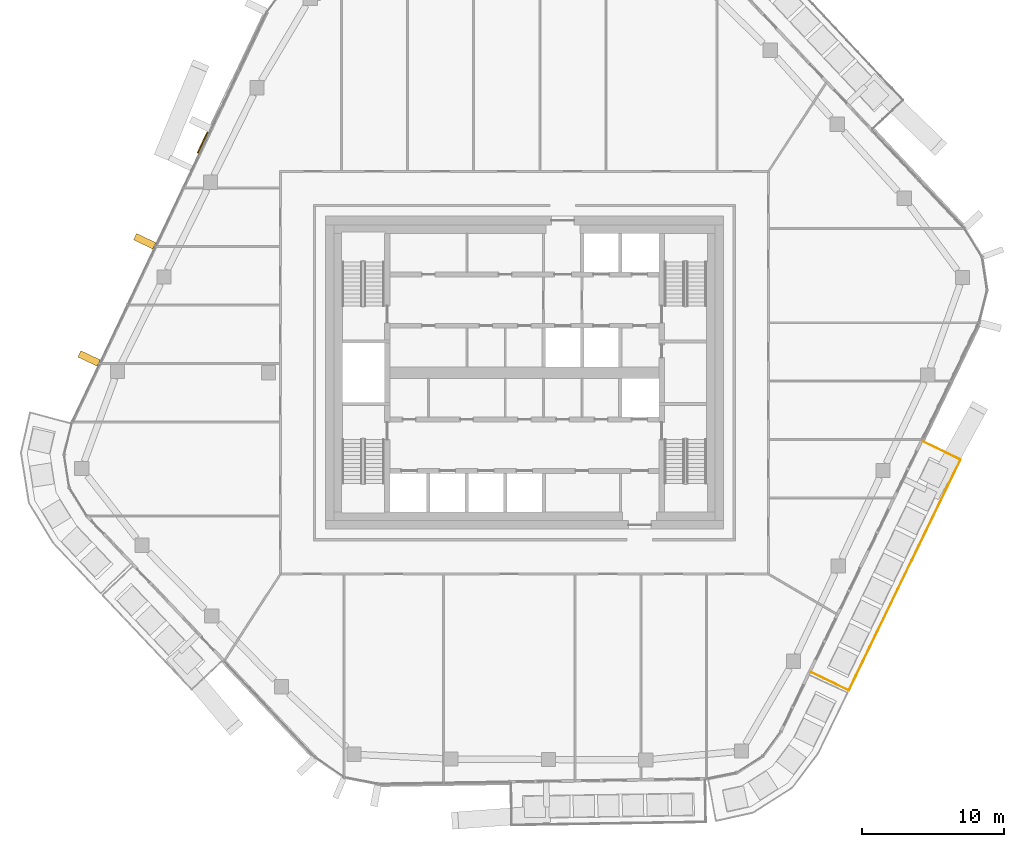
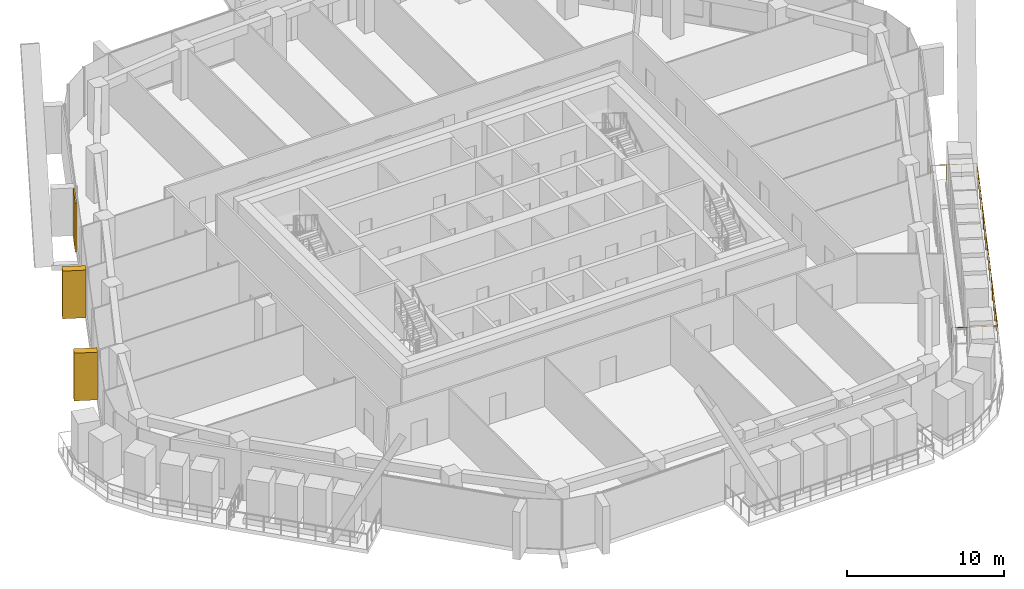
# One storey, part 21 of 24: 3 coverings, 1 railing, 1 element without a shape of its own.
"""IFC4 building model written with IfcOpenShell, lengths in metres."""

from ifc_helpers import new_model, si_unit, direction, frame, origin, origin_2d, place, context, subcontext, project, spatial, rectangle, circle, extrude, material, layer, layer_set, material_profile, profile_set, type_object, element, aggregate, save


model = new_model("IFC4")

# Units and contexts
model_context = context("Model", 3, precision=1e-05, world=origin(), true_north=direction((0.0, 1.0)))
body_context = subcontext(model_context, "Body", "Model", "MODEL_VIEW")
ifc_project = project(units=[si_unit("LENGTHUNIT", "METRE"), si_unit("AREAUNIT", "SQUARE_METRE"), si_unit("VOLUMEUNIT", "CUBIC_METRE"), si_unit("PLANEANGLEUNIT", "RADIAN"), si_unit("MASSUNIT", "GRAM", prefix="KILO")], contexts=[model_context])

# Site, building, storey
site_placement = place(None, origin())
site = spatial("IfcSite", under=ifc_project, at=site_placement, CompositionType="ELEMENT")
building_placement = place(site_placement, origin())
building = spatial("IfcBuilding", under=site, at=building_placement, Name="Dongbaek Canopy Tower", CompositionType="ELEMENT")
storey_placement = place(building_placement, frame((0.0, 0.0, 298.39990234375)))
storey = spatial("IfcBuildingStorey", under=building, at=storey_placement, Name="L63", CompositionType="ELEMENT", Elevation=298.39990234375)

# Railing
ifc_material_1 = material(Name="Stainless steel", Category="steel")
railing_type = type_object("IfcRailingType", Name="Balcony balustrade 1200", PredefinedType="BALUSTRADE", material=ifc_material_1)
railing_placement = place(storey_placement, frame((20.15478515625, -21.060546875, 0.0)))
element("IfcRailing", 1, at=railing_placement, inside=storey, type_object=railing_type, Name="Balcony guard L63 5", PredefinedType="BALUSTRADE", context=body_context, shape_type="SweptSolid", body=[
    extrude(circle(Radius=0.02392578125, at=origin_2d()), frame((0.0, 0.0, 1.17578125), z_axis=(0.900002702987, -0.43588431334, 0.0), x_axis=(0.43588431334, 0.900002702987, 0.0)), (0.0, 0.0, 1.0), 2.93994140625),
    extrude(circle(Radius=0.02392578125, at=origin_2d()), frame((2.64599609375, -1.281494140625, 1.17578125), z_axis=(0.435867784056, 0.900010708171, 0.0), x_axis=(-0.900010708171, 0.435867784056, 0.0)), (0.0, 0.0, 1.0), 18.02880859375),
    extrude(circle(Radius=0.02392578125, at=origin_2d()), frame((10.504150390625, 14.944580078125, 1.17578125), z_axis=(-0.900002702987, 0.43588431334, 0.0), x_axis=(-0.43588431334, -0.900002702987, 0.0)), (0.0, 0.0, 1.0), 2.93994140625),
    extrude(circle(Radius=0.02099609375, at=origin_2d()), origin(), (0.0, 0.0, 1.0), 1.15185546875),
    extrude(circle(Radius=0.02099609375, at=origin_2d()), frame((0.882080078125, -0.42724609375, 0.0)), (0.0, 0.0, 1.0), 1.15185546875),
    extrude(circle(Radius=0.02099609375, at=origin_2d()), frame((1.763916015625, -0.854248046875, 0.0)), (0.0, 0.0, 1.0), 1.15185546875),
    extrude(circle(Radius=0.02099609375, at=origin_2d()), frame((2.64599609375, -1.281494140625, 0.0)), (0.0, 0.0, 1.0), 1.15185546875),
    extrude(circle(Radius=0.02099609375, at=origin_2d()), frame((3.13720703125, -0.267333984375, 0.0)), (0.0, 0.0, 1.0), 1.15185546875),
    extrude(circle(Radius=0.02099609375, at=origin_2d()), frame((3.628173828125, 0.746826171875, 0.0)), (0.0, 0.0, 1.0), 1.15185546875),
    extrude(circle(Radius=0.02099609375, at=origin_2d()), frame((4.119384765625, 1.760986328125, 0.0)), (0.0, 0.0, 1.0), 1.15185546875),
    extrude(circle(Radius=0.02099609375, at=origin_2d()), frame((4.610595703125, 2.77490234375, 0.0)), (0.0, 0.0, 1.0), 1.15185546875),
    extrude(circle(Radius=0.02099609375, at=origin_2d()), frame((5.1015625, 3.7890625, 0.0)), (0.0, 0.0, 1.0), 1.15185546875),
    extrude(circle(Radius=0.02099609375, at=origin_2d()), frame((5.5927734375, 4.80322265625, 0.0)), (0.0, 0.0, 1.0), 1.15185546875),
    extrude(circle(Radius=0.02099609375, at=origin_2d()), frame((6.083984375, 5.8173828125, 0.0)), (0.0, 0.0, 1.0), 1.15185546875),
    extrude(circle(Radius=0.02099609375, at=origin_2d()), frame((6.5751953125, 6.83154296875, 0.0)), (0.0, 0.0, 1.0), 1.15185546875),
    extrude(circle(Radius=0.02099609375, at=origin_2d()), frame((7.066162109375, 7.845703125, 0.0)), (0.0, 0.0, 1.0), 1.15185546875),
    extrude(circle(Radius=0.02099609375, at=origin_2d()), frame((7.557373046875, 8.85986328125, 0.0)), (0.0, 0.0, 1.0), 1.15185546875),
    extrude(circle(Radius=0.02099609375, at=origin_2d()), frame((8.048583984375, 9.8740234375, 0.0)), (0.0, 0.0, 1.0), 1.15185546875),
    extrude(circle(Radius=0.02099609375, at=origin_2d()), frame((8.53955078125, 10.88818359375, 0.0)), (0.0, 0.0, 1.0), 1.15185546875),
    extrude(circle(Radius=0.02099609375, at=origin_2d()), frame((9.03076171875, 11.902099609375, 0.0)), (0.0, 0.0, 1.0), 1.15185546875),
    extrude(circle(Radius=0.02099609375, at=origin_2d()), frame((9.52197265625, 12.916259765625, 0.0)), (0.0, 0.0, 1.0), 1.15185546875),
    extrude(circle(Radius=0.02099609375, at=origin_2d()), frame((10.012939453125, 13.930419921875, 0.0)), (0.0, 0.0, 1.0), 1.15185546875),
    extrude(circle(Radius=0.02099609375, at=origin_2d()), frame((10.504150390625, 14.944580078125, 0.0)), (0.0, 0.0, 1.0), 1.15185546875),
    extrude(circle(Radius=0.02099609375, at=origin_2d()), frame((9.6220703125, 15.371826171875, 0.0)), (0.0, 0.0, 1.0), 1.15185546875),
    extrude(circle(Radius=0.02099609375, at=origin_2d()), frame((8.740234375, 15.798828125, 0.0)), (0.0, 0.0, 1.0), 1.15185546875),
    extrude(circle(Radius=0.02099609375, at=origin_2d()), frame((7.858154296875, 16.22607421875, 0.0)), (0.0, 0.0, 1.0), 1.15185546875),
])

# Curtain wall, coverings
ifc_material_2 = material(Name="Aluminium 6063-T6 pale anodised", Category="aluminium")
ifc_layer_1 = layer(ifc_material_2, 0.199951171875)
ifc_layer_set_1 = layer_set([ifc_layer_1], Name="CW-1 unitised tower curtain wall")
curtain_wall_type = type_object("IfcCurtainWallType", Name="CW-1 unitised tower curtain wall", PredefinedType="NOTDEFINED", material=ifc_layer_set_1)
curtain_wall_placement = place(storey_placement, origin())
curtain_wall = element("IfcCurtainWall", 2, at=curtain_wall_placement, inside=storey, type_object=curtain_wall_type, Name="CW-1 curtain wall F2.1", PredefinedType="NOTDEFINED")
ifc_material_3 = material(Name="Perforated aluminium 6063-T6 pale metal screen", Category="aluminium")
ifc_layer_2 = layer(ifc_material_3, 0.10009765625)
ifc_layer_set_2 = layer_set([ifc_layer_2], Name="Facet screen FS1 100 pale metal")
covering_type_1 = type_object("IfcCoveringType", Name="Facet screen FS1 100 pale metal", PredefinedType="CLADDING", material=ifc_layer_set_2)
covering_1_placement = place(storey_placement, frame((-22.62158203125, 16.18212890625, 0.0), z_axis=(0.0, 0.0, 1.0), x_axis=(-0.42914323553, -0.903236449331, 0.0)))
covering_1 = element("IfcCovering", 3, at=covering_1_placement, type_object=covering_type_1, Name="Facet screen L63 F2", PredefinedType="CLADDING", context=body_context, shape_type="SweptSolid", body=[
    extrude(rectangle(XDim=1.622802734375, YDim=0.10009765625, at=origin_2d()), origin(), (0.0, 0.0, 1.0), 3.820068359375),
])
ifc_material_4 = material(Name="Aluminium 6063-T6 pale metal fin", Category="aluminium")
ifc_material_profile = material_profile(ifc_material_4, rectangle(XDim=1.5, YDim=0.5, at=origin_2d()), Name="Fin FN1 500 x 1500 pale metal")
ifc_profile_set = profile_set([ifc_material_profile], Name="Aluminium 6063-T6 pale metal fin")
covering_type_2 = type_object("IfcCoveringType", Name="Fin FN1 500 x 1500 pale metal", PredefinedType="CLADDING", material=ifc_profile_set)
covering_2_placement = place(storey_placement, frame((-26.699462890625, 9.23974609375, 0.1201171875), z_axis=(0.0, 0.0, 1.0), x_axis=(-0.903236413866, 0.429143310174, 0.0)))
covering_2 = element("IfcCovering", 4, at=covering_2_placement, type_object=covering_type_2, Name="Fin F2.1.5", PredefinedType="CLADDING", context=body_context, shape_type="SweptSolid", body=[
    extrude(rectangle(XDim=1.5, YDim=0.5, at=origin_2d()), origin(), (0.0, 0.0, 1.0), 3.699951171875),
])
covering_3_placement = place(storey_placement, frame((-30.614013671875, 1.000244140625, 0.1201171875), z_axis=(0.0, 0.0, 1.0), x_axis=(-0.903236413866, 0.429143310174, 0.0)))
covering_3 = element("IfcCovering", 5, at=covering_3_placement, type_object=covering_type_2, Name="Fin F2.1.7", PredefinedType="CLADDING", context=body_context, shape_type="SweptSolid", body=[
    extrude(rectangle(XDim=1.5, YDim=0.5, at=origin_2d()), origin(), (0.0, 0.0, 1.0), 3.699951171875),
])
aggregate(curtain_wall, [covering_2, covering_3, covering_1])

save(model, "model.ifc")
